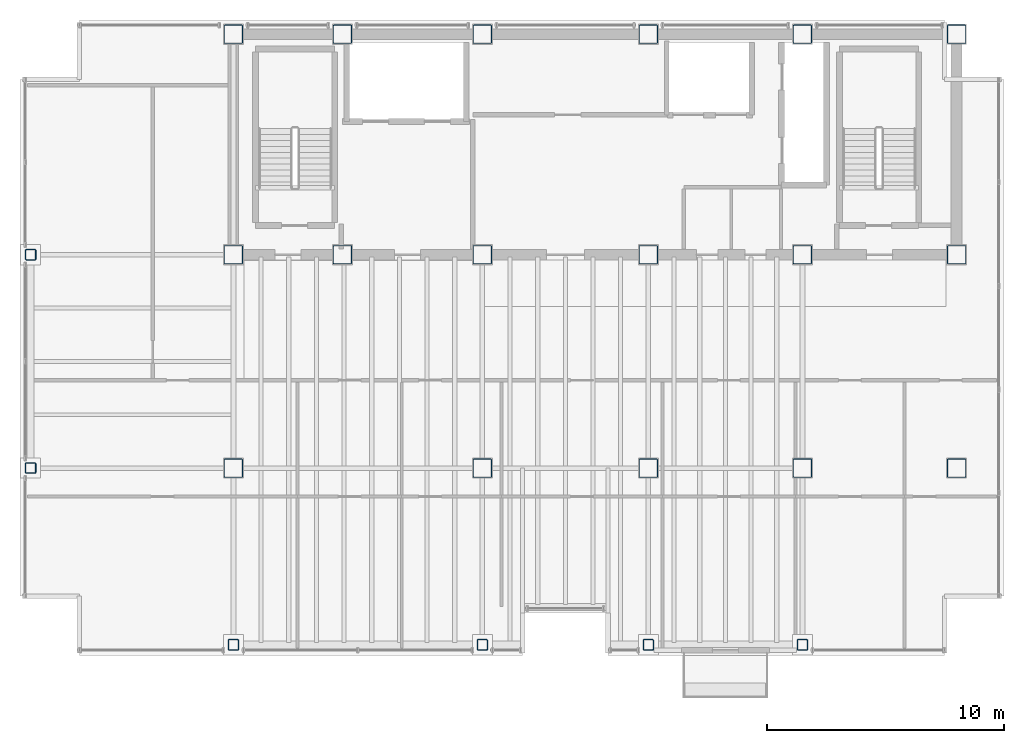
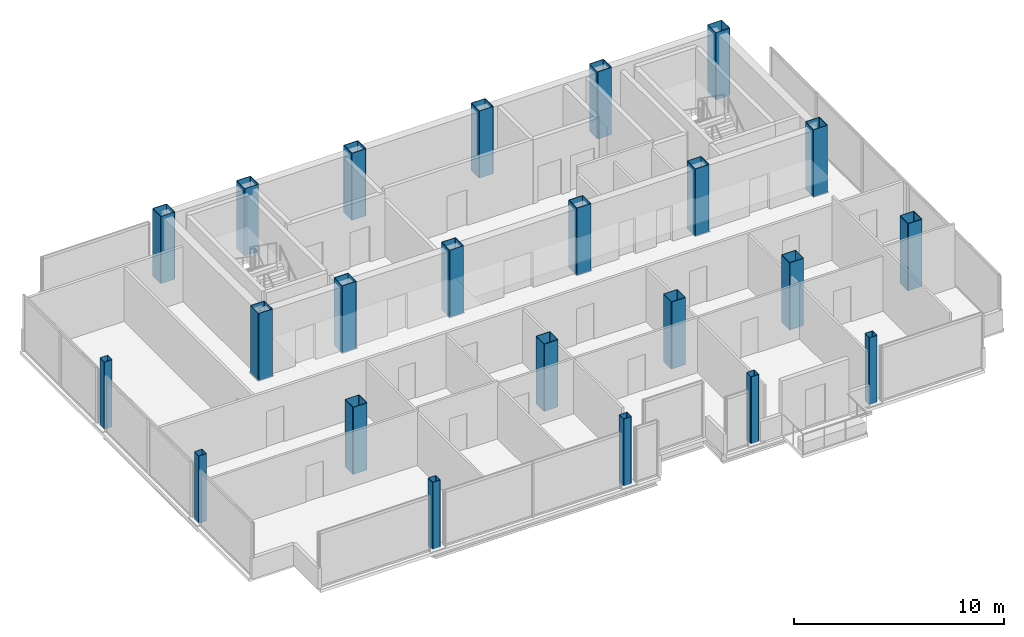
# One storey, part 1 of 17: 23 columns.
"""IFC4 building model written with IfcOpenShell, lengths in metres."""

from ifc_helpers import new_model, si_unit, direction, frame, origin, origin_2d, place, context, subcontext, project, spatial, hollow_rectangle, extrude, material, material_profile, profile_set, type_object, element, save


model = new_model("IFC4")

# Units and contexts
model_context = context("Model", 3, precision=1e-05, world=origin(), true_north=direction((0.0, 1.0)))
body_context = subcontext(model_context, "Body", "Model", "MODEL_VIEW")
ifc_project = project(units=[si_unit("LENGTHUNIT", "METRE"), si_unit("AREAUNIT", "SQUARE_METRE"), si_unit("VOLUMEUNIT", "CUBIC_METRE"), si_unit("PLANEANGLEUNIT", "RADIAN"), si_unit("MASSUNIT", "GRAM", prefix="KILO")], contexts=[model_context])

# Site, building, storey
site_placement = place(None, origin())
site = spatial("IfcSite", under=ifc_project, at=site_placement, CompositionType="ELEMENT")
building_placement = place(site_placement, origin())
building = spatial("IfcBuilding", under=site, at=building_placement, Name="Noeulbin Bourse Tower", CompositionType="ELEMENT")
storey_placement = place(building_placement, frame((0.0, 0.0, 242.300048828125)))
storey = spatial("IfcBuildingStorey", under=building, at=storey_placement, Name="L60", CompositionType="ELEMENT", Elevation=242.300048828125)

# Columns
ifc_material = material(Name="Steel S355", Category="steel")
ifc_material_profile_1 = material_profile(ifc_material, hollow_rectangle(XDim=0.449951171875, YDim=0.449951171875, WallThickness=0.02197265625, InnerFilletRadius=0.02197265625, OuterFilletRadius=0.0439453125, at=origin_2d()), Name="SHS-450x450x22", Category="LoadBearing")
ifc_profile_set_1 = profile_set([ifc_material_profile_1], Name="Steel S355")
column_type_1 = type_object("IfcColumnType", Name="COL-PER-Z3", PredefinedType="COLUMN", material=ifc_profile_set_1)
for number, where, z_axis, x_axis, name in (
    (1, (4.949951171875, 20.0, 0.0), (0.0, 0.0, 1.0), (1.0, 0.0, 0.0), "Tower Perimeter Column COL-PER-Z3 01"),
    (2, (4.949951171875, 29.0, 0.0), (0.0, 0.0, 1.0), (1.0, 0.0, 0.0), "Tower Perimeter Column COL-PER-Z3 02"),
    (3, (13.5, 12.550048828125, 0.0), (0.0, 0.0, 1.0), (1.0, 0.0, 0.0), "Tower Perimeter Column COL-PER-Z3 03"),
    (4, (24.0, 12.550048828125, 0.0), (0.0, 0.0, 1.0), (1.0, 0.0, 0.0), "Tower Perimeter Column COL-PER-Z3 04"),
    (5, (31.0, 12.550048828125, 0.0), (0.0, 0.0, 1.0), (1.0, 0.0, 0.0), "Tower Perimeter Column COL-PER-Z3 05"),
    (6, (37.5, 12.550048828125, 0.0), (0.0, 0.0, 1.0), (1.0, 0.0, 0.0), "Tower Perimeter Column COL-PER-Z3 06"),
):
    element("IfcColumn", number, at=place(storey_placement, frame(where, z_axis=z_axis, x_axis=x_axis)), inside=storey, type_object=column_type_1, Name=name, PredefinedType="COLUMN", context=body_context, shape_type="SweptSolid", body=[
        extrude(hollow_rectangle(XDim=0.449951171875, YDim=0.449951171875, WallThickness=0.02197265625, InnerFilletRadius=0.02197265625, OuterFilletRadius=0.0439453125, at=origin_2d()), origin(), (0.0, 0.0, 1.0), 3.89990234375),
    ])
ifc_material_profile_2 = material_profile(ifc_material, hollow_rectangle(XDim=0.800048828125, YDim=0.800048828125, WallThickness=0.031982421875, InnerFilletRadius=0.01611328125, OuterFilletRadius=0.048095703125, at=origin_2d()), Name="BOX-800x800x32", Category="LoadBearing")
ifc_profile_set_2 = profile_set([ifc_material_profile_2], Name="Steel S355")
column_type_2 = type_object("IfcColumnType", Name="COL-TRK-Z3", PredefinedType="COLUMN", material=ifc_profile_set_2)
for number, where, z_axis, x_axis, name in (
    (7, (13.5, 29.0, 0.0), (0.0, 0.0, 1.0), (1.0, 0.0, 0.0), "Tower Trunk Mega-Column COL-TRK-Z3 01"),
    (8, (13.5, 38.300048828125, 0.0), (0.0, 0.0, 1.0), (1.0, 0.0, 0.0), "Tower Trunk Mega-Column COL-TRK-Z3 02"),
    (9, (18.10009765625, 29.0, 0.0), (0.0, 0.0, 1.0), (1.0, 0.0, 0.0), "Tower Trunk Mega-Column COL-TRK-Z3 03"),
    (10, (18.10009765625, 38.300048828125, 0.0), (0.0, 0.0, 1.0), (1.0, 0.0, 0.0), "Tower Trunk Mega-Column COL-TRK-Z3 04"),
    (11, (24.0, 29.0, 0.0), (0.0, 0.0, 1.0), (1.0, 0.0, 0.0), "Tower Trunk Mega-Column COL-TRK-Z3 05"),
    (12, (24.0, 38.300048828125, 0.0), (0.0, 0.0, 1.0), (1.0, 0.0, 0.0), "Tower Trunk Mega-Column COL-TRK-Z3 06"),
    (13, (31.0, 29.0, 0.0), (0.0, 0.0, 1.0), (1.0, 0.0, 0.0), "Tower Trunk Mega-Column COL-TRK-Z3 07"),
    (14, (31.0, 38.300048828125, 0.0), (0.0, 0.0, 1.0), (1.0, 0.0, 0.0), "Tower Trunk Mega-Column COL-TRK-Z3 08"),
    (15, (37.5, 29.0, 0.0), (0.0, 0.0, 1.0), (1.0, 0.0, 0.0), "Tower Trunk Mega-Column COL-TRK-Z3 09"),
    (16, (37.5, 38.300048828125, 0.0), (0.0, 0.0, 1.0), (1.0, 0.0, 0.0), "Tower Trunk Mega-Column COL-TRK-Z3 10"),
    (17, (44.0, 29.0, 0.0), (0.0, 0.0, 1.0), (1.0, 0.0, 0.0), "Tower Trunk Mega-Column COL-TRK-Z3 11"),
    (18, (44.0, 38.300048828125, 0.0), (0.0, 0.0, 1.0), (1.0, 0.0, 0.0), "Tower Trunk Mega-Column COL-TRK-Z3 12"),
    (19, (13.5, 20.0, 0.0), (0.0, 0.0, 1.0), (1.0, 0.0, 0.0), "Tower Trunk Mega-Column COL-TRK-Z3 13"),
    (20, (24.0, 20.0, 0.0), (0.0, 0.0, 1.0), (1.0, 0.0, 0.0), "Tower Trunk Mega-Column COL-TRK-Z3 14"),
    (21, (31.0, 20.0, 0.0), (0.0, 0.0, 1.0), (1.0, 0.0, 0.0), "Tower Trunk Mega-Column COL-TRK-Z3 15"),
    (22, (37.5, 20.0, 0.0), (0.0, 0.0, 1.0), (1.0, 0.0, 0.0), "Tower Trunk Mega-Column COL-TRK-Z3 16"),
    (23, (44.0, 20.0, 0.0), (0.0, 0.0, 1.0), (1.0, 0.0, 0.0), "Tower Trunk Mega-Column COL-TRK-Z3 17"),
):
    element("IfcColumn", number, at=place(storey_placement, frame(where, z_axis=z_axis, x_axis=x_axis)), inside=storey, type_object=column_type_2, Name=name, PredefinedType="COLUMN", context=body_context, shape_type="SweptSolid", body=[
        extrude(hollow_rectangle(XDim=0.800048828125, YDim=0.800048828125, WallThickness=0.031982421875, InnerFilletRadius=0.01611328125, OuterFilletRadius=0.048095703125, at=origin_2d()), origin(), (0.0, 0.0, 1.0), 3.89990234375),
    ])

save(model, "model.ifc")
